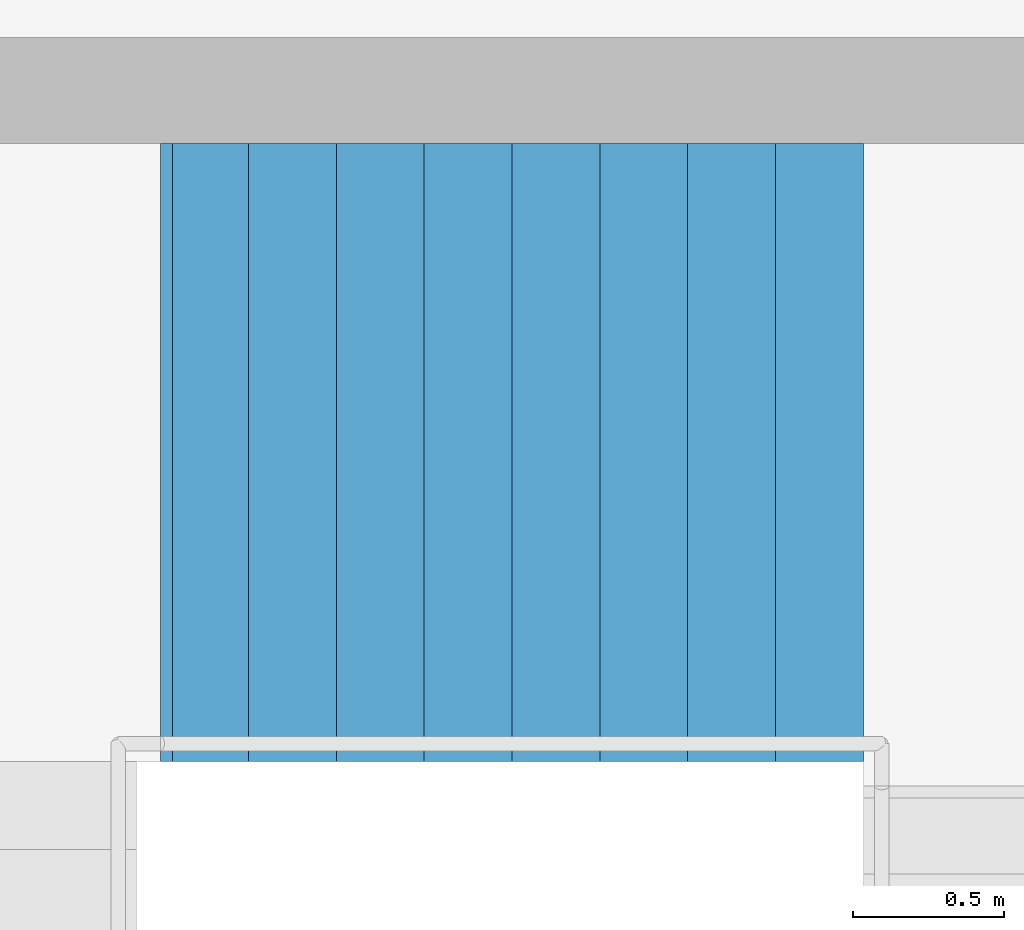
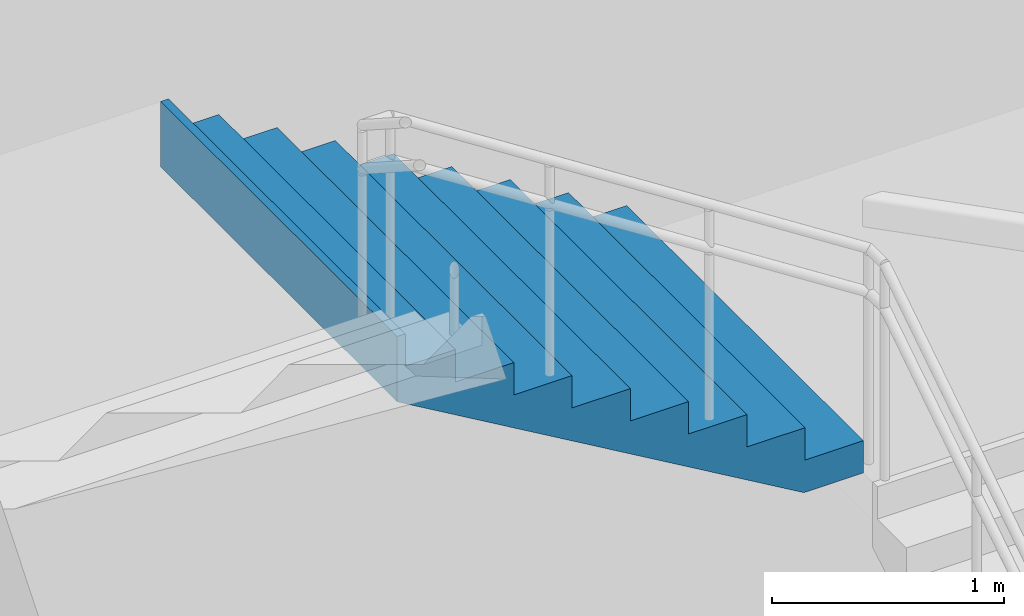
# One storey, part 41 of 46: 1 stair flight, 1 element without a shape of its own.
"""IFC4 building model written with IfcOpenShell, lengths in metres."""

from ifc_helpers import new_model, si_unit, direction, frame, origin, place, context, subcontext, project, spatial, triangles, material, type_object, element, aggregate, save


model = new_model("IFC4")

# Units and contexts
model_context = context("Model", 3, precision=1e-05, world=origin(), true_north=direction((0.0, 1.0)))
body_context = subcontext(model_context, "Body", "Model", "MODEL_VIEW")
ifc_project = project(units=[si_unit("LENGTHUNIT", "METRE"), si_unit("AREAUNIT", "SQUARE_METRE"), si_unit("VOLUMEUNIT", "CUBIC_METRE"), si_unit("PLANEANGLEUNIT", "RADIAN"), si_unit("MASSUNIT", "GRAM", prefix="KILO")], contexts=[model_context])

# Site, building, storey
site_placement = place(None, origin())
site = spatial("IfcSite", under=ifc_project, at=site_placement, CompositionType="ELEMENT")
building_placement = place(site_placement, origin())
building = spatial("IfcBuilding", under=site, at=building_placement, Name="Sillaruma Civic Art Gallery", CompositionType="ELEMENT")
storey_placement = place(building_placement, frame((0.0, 0.0, 16.320068359375)))
storey = spatial("IfcBuildingStorey", under=building, at=storey_placement, Name="L03", CompositionType="ELEMENT", Elevation=16.320068359375)

# Stair, stair flight
ifc_material = material(Name="Concrete H35 (35 MPa)", Category="concrete")
stair_type = type_object("IfcStairType", Name="STR-4F-36", PredefinedType="USERDEFINED", material=ifc_material)
stair_placement = place(storey_placement, origin())
stair = element("IfcStair", 1, at=stair_placement, inside=storey, type_object=stair_type, Name="Protected Exit Stair ST-02 (West Bar North) (L03)", ObjectType="THREE_RETURN_STAIR", PredefinedType="USERDEFINED")
stair_flight_type = type_object("IfcStairFlightType", Name="SFL-STR-9", PredefinedType="STRAIGHT", material=ifc_material)
stair_flight_placement = place(storey_placement, frame((67.199951171875, 86.3701171875, 3.059814453125), z_axis=(0.0, 0.0, 1.0), x_axis=(-1.0, 0.0, 0.0)))
stair_flight = element("IfcStairFlight", 2, at=stair_flight_placement, type_object=stair_flight_type, Name="ST-02 flight 3", NumberOfRisers=9, NumberOfTreads=8, PredefinedType="STRAIGHT", RiserHeight=0.17, TreadLength=0.29, context=body_context, shape_type="Tessellation", body=[
    triangles([(0.0, -1.02001953125, 0.0), (0.29, -1.02001953125, 0.0), (0.296482, -1.02001953125, 0.0), (0.58, -1.02001953125, 0.1662), (0.87, -1.02001953125, 0.3362), (1.16, -1.02001953125, 0.5062), (1.45, -1.02001953125, 0.6762), (1.74, -1.02001953125, 0.8462), (2.03, -1.02001953125, 1.0162), (2.280068, -1.02001953125, 1.162792), (2.320068, -1.02001953125, 1.18624), (2.320068, -1.02001953125, 1.53), (2.280068, -1.02001953125, 1.53), (2.280068, -1.02001953125, 1.36), (2.03, -1.02001953125, 1.36), (2.03, -1.02001953125, 1.19), (1.74, -1.02001953125, 1.19), (1.74, -1.02001953125, 1.02), (1.45, -1.02001953125, 1.02), (1.45, -1.02001953125, 0.85), (1.16, -1.02001953125, 0.85), (1.16, -1.02001953125, 0.68), (0.87, -1.02001953125, 0.68), (0.87, -1.02001953125, 0.51), (0.58, -1.02001953125, 0.51), (0.58, -1.02001953125, 0.34), (0.296482, -1.02001953125, 0.34), (0.29, -1.02001953125, 0.34), (0.29, -1.02001953125, 0.17), (0.0, -1.02001953125, 0.17), (0.0, -0.05, 0.0), (0.29, -0.05, 0.0), (0.296482, -0.05, 0.0), (0.58, -0.05, 0.1662), (0.87, -0.05, 0.3362), (1.16, -0.05, 0.5062), (1.45, -0.05, 0.6762), (1.74, -0.05, 0.8462), (2.03, -0.05, 1.0162), (2.280068, -0.05, 1.162792), (2.320068, -0.05, 1.18624), (2.320068, -0.05, 1.53), (2.280068, -0.05, 1.53), (2.280068, -0.05, 1.36), (2.03, -0.05, 1.36), (2.03, -0.05, 1.19), (1.74, -0.05, 1.19), (1.74, -0.05, 1.02), (1.45, -0.05, 1.02), (1.45, -0.05, 0.85), (1.16, -0.05, 0.85), (1.16, -0.05, 0.68), (0.87, -0.05, 0.68), (0.87, -0.05, 0.51), (0.58, -0.05, 0.51), (0.58, -0.05, 0.34), (0.296482, -0.05, 0.34), (0.29, -0.05, 0.34), (0.29, -0.05, 0.17), (0.0, -0.05, 0.17), (0.0, -0.0375, 0.0), (0.29, -0.0375, 0.0), (0.296482, -0.0375, 0.0), (0.58, -0.0375, 0.1662), (0.87, -0.0375, 0.3362), (1.16, -0.0375, 0.5062), (1.45, -0.0375, 0.6762), (1.74, -0.0375, 0.8462), (2.03, -0.0375, 1.0162), (2.280068, -0.0375, 1.162792), (2.320068, -0.0375, 1.18624), (2.320068, -0.0375, 1.53), (2.280068, -0.0375, 1.53), (2.280068, -0.0375, 1.36), (2.03, -0.0375, 1.36), (2.03, -0.0375, 1.19), (1.74, -0.0375, 1.19), (1.74, -0.0375, 1.02), (1.45, -0.0375, 1.02), (1.45, -0.0375, 0.85), (1.16, -0.0375, 0.85), (1.16, -0.0375, 0.68), (0.87, -0.0375, 0.68), (0.87, -0.0375, 0.51), (0.58, -0.0375, 0.51), (0.58, -0.0375, 0.34), (0.296482, -0.0375, 0.34), (0.29, -0.0375, 0.34), (0.29, -0.0375, 0.17), (0.0, -0.0375, 0.17), (0.0, -0.025, 0.0), (0.29, -0.025, 0.0), (0.296482, -0.025, 0.0), (0.58, -0.025, 0.1662), (0.87, -0.025, 0.3362), (1.16, -0.025, 0.5062), (1.45, -0.025, 0.6762), (1.74, -0.025, 0.8462), (2.03, -0.025, 1.0162), (2.280068, -0.025, 1.162792), (2.320068, -0.025, 1.18624), (2.320068, -0.025, 1.53), (2.280068, -0.025, 1.53), (2.280068, -0.025, 1.36), (2.03, -0.025, 1.36), (2.03, -0.025, 1.19), (1.74, -0.025, 1.19), (1.74, -0.025, 1.02), (1.45, -0.025, 1.02), (1.45, -0.025, 0.85), (1.16, -0.025, 0.85), (1.16, -0.025, 0.68), (0.87, -0.025, 0.68), (0.87, -0.025, 0.51), (0.58, -0.025, 0.51), (0.58, -0.025, 0.34), (0.296482, -0.025, 0.34), (0.29, -0.025, 0.34), (0.29, -0.025, 0.17), (0.0, -0.025, 0.17), (0.0, -0.0125, 0.0), (0.29, -0.0125, 0.0), (0.296482, -0.0125, 0.0), (0.58, -0.0125, 0.1662), (0.87, -0.0125, 0.3362), (1.16, -0.0125, 0.5062), (1.45, -0.0125, 0.6762), (1.74, -0.0125, 0.8462), (2.03, -0.0125, 1.0162), (2.280068, -0.0125, 1.162792), (2.320068, -0.0125, 1.18624), (2.320068, -0.0125, 1.53), (2.280068, -0.0125, 1.53), (2.280068, -0.0125, 1.36), (2.03, -0.0125, 1.36), (2.03, -0.0125, 1.19), (1.74, -0.0125, 1.19), (1.74, -0.0125, 1.02), (1.45, -0.0125, 1.02), (1.45, -0.0125, 0.85), (1.16, -0.0125, 0.85), (1.16, -0.0125, 0.68), (0.87, -0.0125, 0.68), (0.87, -0.0125, 0.51), (0.58, -0.0125, 0.51), (0.58, -0.0125, 0.34), (0.296482, -0.0125, 0.34), (0.29, -0.0125, 0.34), (0.29, -0.0125, 0.17), (0.0, -0.0125, 0.17), (0.0, 0.0, 0.0), (0.29, 0.0, 0.0), (0.296482, 0.0, 0.0), (0.58, 0.0, 0.1662), (0.87, 0.0, 0.3362), (1.16, 0.0, 0.5062), (1.45, 0.0, 0.6762), (1.74, 0.0, 0.8462), (2.03, 0.0, 1.0162), (2.280068, 0.0, 1.162792), (2.320068, 0.0, 1.18624), (2.320068, 0.0, 1.53), (2.280068, 0.0, 1.53), (2.280068, 0.0, 1.36), (2.03, 0.0, 1.36), (2.03, 0.0, 1.19), (1.74, 0.0, 1.19), (1.74, 0.0, 1.02), (1.45, 0.0, 1.02), (1.45, 0.0, 0.85), (1.16, 0.0, 0.85), (1.16, 0.0, 0.68), (0.87, 0.0, 0.68), (0.87, 0.0, 0.51), (0.58, 0.0, 0.51), (0.58, 0.0, 0.34), (0.296482, 0.0, 0.34), (0.29, 0.0, 0.34), (0.29, 0.0, 0.17), (0.0, 0.0, 0.17), (0.0, 0.0125, 0.0), (0.29, 0.0125, 0.0), (0.296482, 0.0125, 0.0), (0.58, 0.0125, 0.1662), (0.87, 0.0125, 0.3362), (1.16, 0.0125, 0.5062), (1.45, 0.0125, 0.6762), (1.74, 0.0125, 0.8462), (2.03, 0.0125, 1.0162), (2.280068, 0.0125, 1.162792), (2.320068, 0.0125, 1.18624), (2.320068, 0.0125, 1.53), (2.280068, 0.0125, 1.53), (2.280068, 0.0125, 1.36), (2.03, 0.0125, 1.36), (2.03, 0.0125, 1.19), (1.74, 0.0125, 1.19), (1.74, 0.0125, 1.02), (1.45, 0.0125, 1.02), (1.45, 0.0125, 0.85), (1.16, 0.0125, 0.85), (1.16, 0.0125, 0.68), (0.87, 0.0125, 0.68), (0.87, 0.0125, 0.51), (0.58, 0.0125, 0.51), (0.58, 0.0125, 0.34), (0.296482, 0.0125, 0.34), (0.29, 0.0125, 0.34), (0.29, 0.0125, 0.17), (0.0, 0.0125, 0.17), (0.0, 0.025, 0.0), (0.29, 0.025, 0.0), (0.296482, 0.025, 0.0), (0.58, 0.025, 0.1662), (0.87, 0.025, 0.3362), (1.16, 0.025, 0.5062), (1.45, 0.025, 0.6762), (1.74, 0.025, 0.8462), (2.03, 0.025, 1.0162), (2.280068, 0.025, 1.162792), (2.320068, 0.025, 1.18624), (2.320068, 0.025, 1.53), (2.280068, 0.025, 1.53), (2.280068, 0.025, 1.36), (2.03, 0.025, 1.36), (2.03, 0.025, 1.19), (1.74, 0.025, 1.19), (1.74, 0.025, 1.02), (1.45, 0.025, 1.02), (1.45, 0.025, 0.85), (1.16, 0.025, 0.85), (1.16, 0.025, 0.68), (0.87, 0.025, 0.68), (0.87, 0.025, 0.51), (0.58, 0.025, 0.51), (0.58, 0.025, 0.34), (0.296482, 0.025, 0.34), (0.29, 0.025, 0.34), (0.29, 0.025, 0.17), (0.0, 0.025, 0.17), (0.0, 0.0375, 0.0), (0.29, 0.0375, 0.0), (0.296482, 0.0375, 0.0), (0.58, 0.0375, 0.1662), (0.87, 0.0375, 0.3362), (1.16, 0.0375, 0.5062), (1.45, 0.0375, 0.6762), (1.74, 0.0375, 0.8462), (2.03, 0.0375, 1.0162), (2.280068, 0.0375, 1.162792), (2.320068, 0.0375, 1.18624), (2.320068, 0.0375, 1.53), (2.280068, 0.0375, 1.53), (2.280068, 0.0375, 1.36), (2.03, 0.0375, 1.36), (2.03, 0.0375, 1.19), (1.74, 0.0375, 1.19), (1.74, 0.0375, 1.02), (1.45, 0.0375, 1.02), (1.45, 0.0375, 0.85), (1.16, 0.0375, 0.85), (1.16, 0.0375, 0.68), (0.87, 0.0375, 0.68), (0.87, 0.0375, 0.51), (0.58, 0.0375, 0.51), (0.58, 0.0375, 0.34), (0.296482, 0.0375, 0.34), (0.29, 0.0375, 0.34), (0.29, 0.0375, 0.17), (0.0, 0.0375, 0.17), (0.0, 0.05, 0.0), (0.29, 0.05, 0.0), (0.296482, 0.05, 0.0), (0.58, 0.05, 0.1662), (0.87, 0.05, 0.3362), (1.16, 0.05, 0.5062), (1.45, 0.05, 0.6762), (1.74, 0.05, 0.8462), (2.03, 0.05, 1.0162), (2.280068, 0.05, 1.162792), (2.320068, 0.05, 1.18624), (2.320068, 0.05, 1.53), (2.280068, 0.05, 1.53), (2.280068, 0.05, 1.36), (2.03, 0.05, 1.36), (2.03, 0.05, 1.19), (1.74, 0.05, 1.19), (1.74, 0.05, 1.02), (1.45, 0.05, 1.02), (1.45, 0.05, 0.85), (1.16, 0.05, 0.85), (1.16, 0.05, 0.68), (0.87, 0.05, 0.68), (0.87, 0.05, 0.51), (0.58, 0.05, 0.51), (0.58, 0.05, 0.34), (0.296482, 0.05, 0.34), (0.29, 0.05, 0.34), (0.29, 0.05, 0.17), (0.0, 0.05, 0.17), (0.0, 1.02001953125, 0.0), (0.29, 1.02001953125, 0.0), (0.296482, 1.02001953125, 0.0), (0.58, 1.02001953125, 0.1662), (0.87, 1.02001953125, 0.3362), (1.16, 1.02001953125, 0.5062), (1.45, 1.02001953125, 0.6762), (1.74, 1.02001953125, 0.8462), (2.03, 1.02001953125, 1.0162), (2.280068, 1.02001953125, 1.162792), (2.320068, 1.02001953125, 1.18624), (2.320068, 1.02001953125, 1.53), (2.280068, 1.02001953125, 1.53), (2.280068, 1.02001953125, 1.36), (2.03, 1.02001953125, 1.36), (2.03, 1.02001953125, 1.19), (1.74, 1.02001953125, 1.19), (1.74, 1.02001953125, 1.02), (1.45, 1.02001953125, 1.02), (1.45, 1.02001953125, 0.85), (1.16, 1.02001953125, 0.85), (1.16, 1.02001953125, 0.68), (0.87, 1.02001953125, 0.68), (0.87, 1.02001953125, 0.51), (0.58, 1.02001953125, 0.51), (0.58, 1.02001953125, 0.34), (0.296482, 1.02001953125, 0.34), (0.29, 1.02001953125, 0.34), (0.29, 1.02001953125, 0.17), (0.0, 1.02001953125, 0.17)], [[1, 2, 29], [1, 29, 30], [2, 3, 27], [2, 27, 29], [29, 27, 28], [3, 4, 26], [3, 26, 27], [4, 5, 24], [4, 24, 26], [26, 24, 25], [5, 6, 22], [5, 22, 24], [24, 22, 23], [6, 7, 20], [6, 20, 22], [22, 20, 21], [7, 8, 18], [7, 18, 20], [20, 18, 19], [8, 9, 16], [8, 16, 18], [18, 16, 17], [9, 10, 14], [9, 14, 16], [16, 14, 15], [10, 11, 12], [10, 12, 14], [14, 12, 13], [329, 302, 301], [330, 329, 301], [327, 303, 302], [329, 327, 302], [328, 327, 329], [326, 304, 303], [327, 326, 303], [324, 305, 304], [326, 324, 304], [325, 324, 326], [322, 306, 305], [324, 322, 305], [323, 322, 324], [320, 307, 306], [322, 320, 306], [321, 320, 322], [318, 308, 307], [320, 318, 307], [319, 318, 320], [316, 309, 308], [318, 316, 308], [317, 316, 318], [314, 310, 309], [316, 314, 309], [315, 314, 316], [312, 311, 310], [314, 312, 310], [313, 312, 314], [2, 1, 31], [2, 31, 32], [3, 2, 32], [3, 32, 33], [4, 3, 33], [4, 33, 34], [5, 4, 34], [5, 34, 35], [6, 5, 35], [6, 35, 36], [7, 6, 36], [7, 36, 37], [8, 7, 37], [8, 37, 38], [9, 8, 38], [9, 38, 39], [10, 9, 39], [10, 39, 40], [11, 10, 40], [11, 40, 41], [12, 11, 41], [12, 41, 42], [13, 12, 42], [13, 42, 43], [14, 13, 43], [14, 43, 44], [15, 14, 44], [15, 44, 45], [16, 15, 45], [16, 45, 46], [17, 16, 46], [17, 46, 47], [18, 17, 47], [18, 47, 48], [19, 18, 48], [19, 48, 49], [20, 19, 49], [20, 49, 50], [21, 20, 50], [21, 50, 51], [22, 21, 51], [22, 51, 52], [23, 22, 52], [23, 52, 53], [24, 23, 53], [24, 53, 54], [25, 24, 54], [25, 54, 55], [26, 25, 55], [26, 55, 56], [27, 26, 56], [27, 56, 57], [28, 27, 57], [28, 57, 58], [29, 28, 58], [29, 58, 59], [30, 29, 59], [30, 59, 60], [1, 30, 60], [1, 60, 31], [32, 31, 61], [32, 61, 62], [33, 32, 62], [33, 62, 63], [34, 33, 63], [34, 63, 64], [35, 34, 64], [35, 64, 65], [36, 35, 65], [36, 65, 66], [37, 36, 66], [37, 66, 67], [38, 37, 67], [38, 67, 68], [39, 38, 68], [39, 68, 69], [40, 39, 69], [40, 69, 70], [41, 40, 70], [41, 70, 71], [42, 41, 71], [42, 71, 72], [43, 42, 72], [43, 72, 73], [44, 43, 73], [44, 73, 74], [45, 44, 74], [45, 74, 75], [46, 45, 75], [46, 75, 76], [47, 46, 76], [47, 76, 77], [48, 47, 77], [48, 77, 78], [49, 48, 78], [49, 78, 79], [50, 49, 79], [50, 79, 80], [51, 50, 80], [51, 80, 81], [52, 51, 81], [52, 81, 82], [53, 52, 82], [53, 82, 83], [54, 53, 83], [54, 83, 84], [55, 54, 84], [55, 84, 85], [56, 55, 85], [56, 85, 86], [57, 56, 86], [57, 86, 87], [58, 57, 87], [58, 87, 88], [59, 58, 88], [59, 88, 89], [60, 59, 89], [60, 89, 90], [31, 60, 90], [31, 90, 61], [62, 61, 91], [62, 91, 92], [63, 62, 92], [63, 92, 93], [64, 63, 93], [64, 93, 94], [65, 64, 94], [65, 94, 95], [66, 65, 95], [66, 95, 96], [67, 66, 96], [67, 96, 97], [68, 67, 97], [68, 97, 98], [69, 68, 98], [69, 98, 99], [70, 69, 99], [70, 99, 100], [71, 70, 100], [71, 100, 101], [72, 71, 101], [72, 101, 102], [73, 72, 102], [73, 102, 103], [74, 73, 103], [74, 103, 104], [75, 74, 104], [75, 104, 105], [76, 75, 105], [76, 105, 106], [77, 76, 106], [77, 106, 107], [78, 77, 107], [78, 107, 108], [79, 78, 108], [79, 108, 109], [80, 79, 109], [80, 109, 110], [81, 80, 110], [81, 110, 111], [82, 81, 111], [82, 111, 112], [83, 82, 112], [83, 112, 113], [84, 83, 113], [84, 113, 114], [85, 84, 114], [85, 114, 115], [86, 85, 115], [86, 115, 116], [87, 86, 116], [87, 116, 117], [88, 87, 117], [88, 117, 118], [89, 88, 118], [89, 118, 119], [90, 89, 119], [90, 119, 120], [61, 90, 120], [61, 120, 91], [92, 91, 121], [92, 121, 122], [93, 92, 122], [93, 122, 123], [94, 93, 123], [94, 123, 124], [95, 94, 124], [95, 124, 125], [96, 95, 125], [96, 125, 126], [97, 96, 126], [97, 126, 127], [98, 97, 127], [98, 127, 128], [99, 98, 128], [99, 128, 129], [100, 99, 129], [100, 129, 130], [101, 100, 130], [101, 130, 131], [102, 101, 131], [102, 131, 132], [103, 102, 132], [103, 132, 133], [104, 103, 133], [104, 133, 134], [105, 104, 134], [105, 134, 135], [106, 105, 135], [106, 135, 136], [107, 106, 136], [107, 136, 137], [108, 107, 137], [108, 137, 138], [109, 108, 138], [109, 138, 139], [110, 109, 139], [110, 139, 140], [111, 110, 140], [111, 140, 141], [112, 111, 141], [112, 141, 142], [113, 112, 142], [113, 142, 143], [114, 113, 143], [114, 143, 144], [115, 114, 144], [115, 144, 145], [116, 115, 145], [116, 145, 146], [117, 116, 146], [117, 146, 147], [118, 117, 147], [118, 147, 148], [119, 118, 148], [119, 148, 149], [120, 119, 149], [120, 149, 150], [91, 120, 150], [91, 150, 121], [122, 121, 151], [122, 151, 152], [123, 122, 152], [123, 152, 153], [124, 123, 153], [124, 153, 154], [125, 124, 154], [125, 154, 155], [126, 125, 155], [126, 155, 156], [127, 126, 156], [127, 156, 157], [128, 127, 157], [128, 157, 158], [129, 128, 158], [129, 158, 159], [130, 129, 159], [130, 159, 160], [131, 130, 160], [131, 160, 161], [132, 131, 161], [132, 161, 162], [133, 132, 162], [133, 162, 163], [134, 133, 163], [134, 163, 164], [135, 134, 164], [135, 164, 165], [136, 135, 165], [136, 165, 166], [137, 136, 166], [137, 166, 167], [138, 137, 167], [138, 167, 168], [139, 138, 168], [139, 168, 169], [140, 139, 169], [140, 169, 170], [141, 140, 170], [141, 170, 171], [142, 141, 171], [142, 171, 172], [143, 142, 172], [143, 172, 173], [144, 143, 173], [144, 173, 174], [145, 144, 174], [145, 174, 175], [146, 145, 175], [146, 175, 176], [147, 146, 176], [147, 176, 177], [148, 147, 177], [148, 177, 178], [149, 148, 178], [149, 178, 179], [150, 149, 179], [150, 179, 180], [121, 150, 180], [121, 180, 151], [152, 151, 181], [152, 181, 182], [153, 152, 182], [153, 182, 183], [154, 153, 183], [154, 183, 184], [155, 154, 184], [155, 184, 185], [156, 155, 185], [156, 185, 186], [157, 156, 186], [157, 186, 187], [158, 157, 187], [158, 187, 188], [159, 158, 188], [159, 188, 189], [160, 159, 189], [160, 189, 190], [161, 160, 190], [161, 190, 191], [162, 161, 191], [162, 191, 192], [163, 162, 192], [163, 192, 193], [164, 163, 193], [164, 193, 194], [165, 164, 194], [165, 194, 195], [166, 165, 195], [166, 195, 196], [167, 166, 196], [167, 196, 197], [168, 167, 197], [168, 197, 198], [169, 168, 198], [169, 198, 199], [170, 169, 199], [170, 199, 200], [171, 170, 200], [171, 200, 201], [172, 171, 201], [172, 201, 202], [173, 172, 202], [173, 202, 203], [174, 173, 203], [174, 203, 204], [175, 174, 204], [175, 204, 205], [176, 175, 205], [176, 205, 206], [177, 176, 206], [177, 206, 207], [178, 177, 207], [178, 207, 208], [179, 178, 208], [179, 208, 209], [180, 179, 209], [180, 209, 210], [151, 180, 210], [151, 210, 181], [182, 181, 211], [182, 211, 212], [183, 182, 212], [183, 212, 213], [184, 183, 213], [184, 213, 214], [185, 184, 214], [185, 214, 215], [186, 185, 215], [186, 215, 216], [187, 186, 216], [187, 216, 217], [188, 187, 217], [188, 217, 218], [189, 188, 218], [189, 218, 219], [190, 189, 219], [190, 219, 220], [191, 190, 220], [191, 220, 221], [192, 191, 221], [192, 221, 222], [193, 192, 222], [193, 222, 223], [194, 193, 223], [194, 223, 224], [195, 194, 224], [195, 224, 225], [196, 195, 225], [196, 225, 226], [197, 196, 226], [197, 226, 227], [198, 197, 227], [198, 227, 228], [199, 198, 228], [199, 228, 229], [200, 199, 229], [200, 229, 230], [201, 200, 230], [201, 230, 231], [202, 201, 231], [202, 231, 232], [203, 202, 232], [203, 232, 233], [204, 203, 233], [204, 233, 234], [205, 204, 234], [205, 234, 235], [206, 205, 235], [206, 235, 236], [207, 206, 236], [207, 236, 237], [208, 207, 237], [208, 237, 238], [209, 208, 238], [209, 238, 239], [210, 209, 239], [210, 239, 240], [181, 210, 240], [181, 240, 211], [212, 211, 241], [212, 241, 242], [213, 212, 242], [213, 242, 243], [214, 213, 243], [214, 243, 244], [215, 214, 244], [215, 244, 245], [216, 215, 245], [216, 245, 246], [217, 216, 246], [217, 246, 247], [218, 217, 247], [218, 247, 248], [219, 218, 248], [219, 248, 249], [220, 219, 249], [220, 249, 250], [221, 220, 250], [221, 250, 251], [222, 221, 251], [222, 251, 252], [223, 222, 252], [223, 252, 253], [224, 223, 253], [224, 253, 254], [225, 224, 254], [225, 254, 255], [226, 225, 255], [226, 255, 256], [227, 226, 256], [227, 256, 257], [228, 227, 257], [228, 257, 258], [229, 228, 258], [229, 258, 259], [230, 229, 259], [230, 259, 260], [231, 230, 260], [231, 260, 261], [232, 231, 261], [232, 261, 262], [233, 232, 262], [233, 262, 263], [234, 233, 263], [234, 263, 264], [235, 234, 264], [235, 264, 265], [236, 235, 265], [236, 265, 266], [237, 236, 266], [237, 266, 267], [238, 237, 267], [238, 267, 268], [239, 238, 268], [239, 268, 269], [240, 239, 269], [240, 269, 270], [211, 240, 270], [211, 270, 241], [242, 241, 271], [242, 271, 272], [243, 242, 272], [243, 272, 273], [244, 243, 273], [244, 273, 274], [245, 244, 274], [245, 274, 275], [246, 245, 275], [246, 275, 276], [247, 246, 276], [247, 276, 277], [248, 247, 277], [248, 277, 278], [249, 248, 278], [249, 278, 279], [250, 249, 279], [250, 279, 280], [251, 250, 280], [251, 280, 281], [252, 251, 281], [252, 281, 282], [253, 252, 282], [253, 282, 283], [254, 253, 283], [254, 283, 284], [255, 254, 284], [255, 284, 285], [256, 255, 285], [256, 285, 286], [257, 256, 286], [257, 286, 287], [258, 257, 287], [258, 287, 288], [259, 258, 288], [259, 288, 289], [260, 259, 289], [260, 289, 290], [261, 260, 290], [261, 290, 291], [262, 261, 291], [262, 291, 292], [263, 262, 292], [263, 292, 293], [264, 263, 293], [264, 293, 294], [265, 264, 294], [265, 294, 295], [266, 265, 295], [266, 295, 296], [267, 266, 296], [267, 296, 297], [268, 267, 297], [268, 297, 298], [269, 268, 298], [269, 298, 299], [270, 269, 299], [270, 299, 300], [241, 270, 300], [241, 300, 271], [272, 271, 301], [272, 301, 302], [273, 272, 302], [273, 302, 303], [274, 273, 303], [274, 303, 304], [275, 274, 304], [275, 304, 305], [276, 275, 305], [276, 305, 306], [277, 276, 306], [277, 306, 307], [278, 277, 307], [278, 307, 308], [279, 278, 308], [279, 308, 309], [280, 279, 309], [280, 309, 310], [281, 280, 310], [281, 310, 311], [282, 281, 311], [282, 311, 312], [283, 282, 312], [283, 312, 313], [284, 283, 313], [284, 313, 314], [285, 284, 314], [285, 314, 315], [286, 285, 315], [286, 315, 316], [287, 286, 316], [287, 316, 317], [288, 287, 317], [288, 317, 318], [289, 288, 318], [289, 318, 319], [290, 289, 319], [290, 319, 320], [291, 290, 320], [291, 320, 321], [292, 291, 321], [292, 321, 322], [293, 292, 322], [293, 322, 323], [294, 293, 323], [294, 323, 324], [295, 294, 324], [295, 324, 325], [296, 295, 325], [296, 325, 326], [297, 296, 326], [297, 326, 327], [298, 297, 327], [298, 327, 328], [299, 298, 328], [299, 328, 329], [300, 299, 329], [300, 329, 330], [271, 300, 330], [271, 330, 301]], closed=True),
])
aggregate(stair, [stair_flight])

save(model, "model.ifc")
